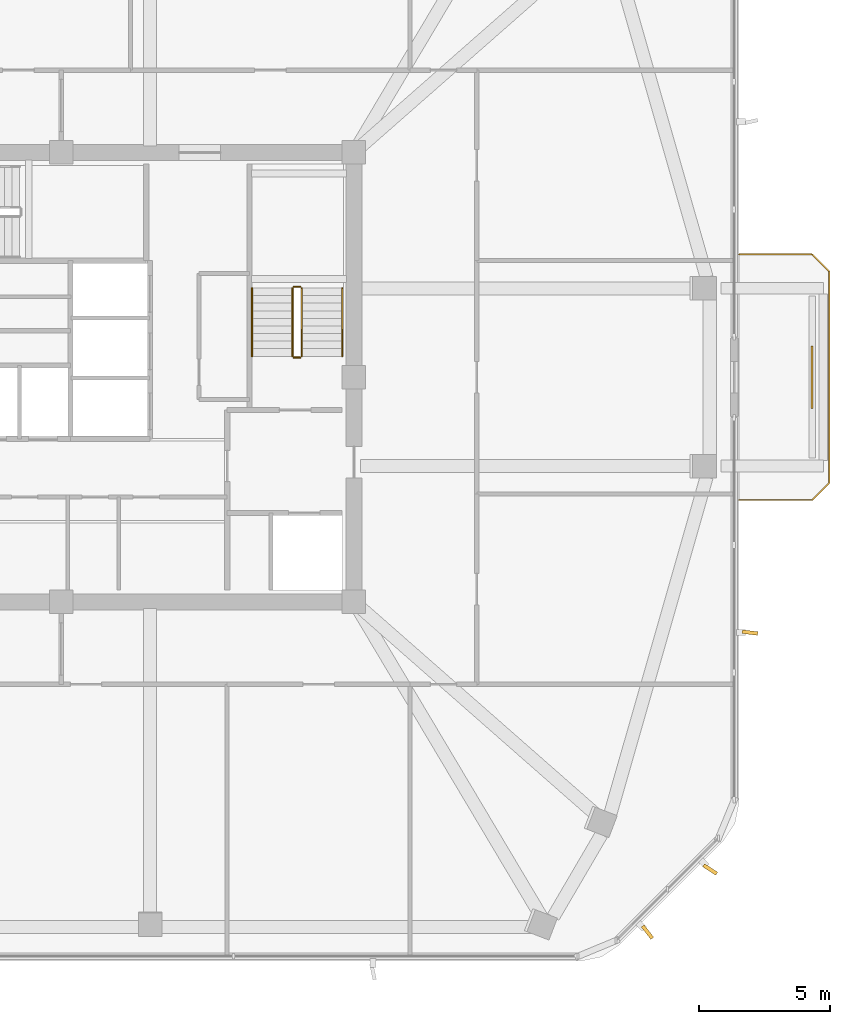
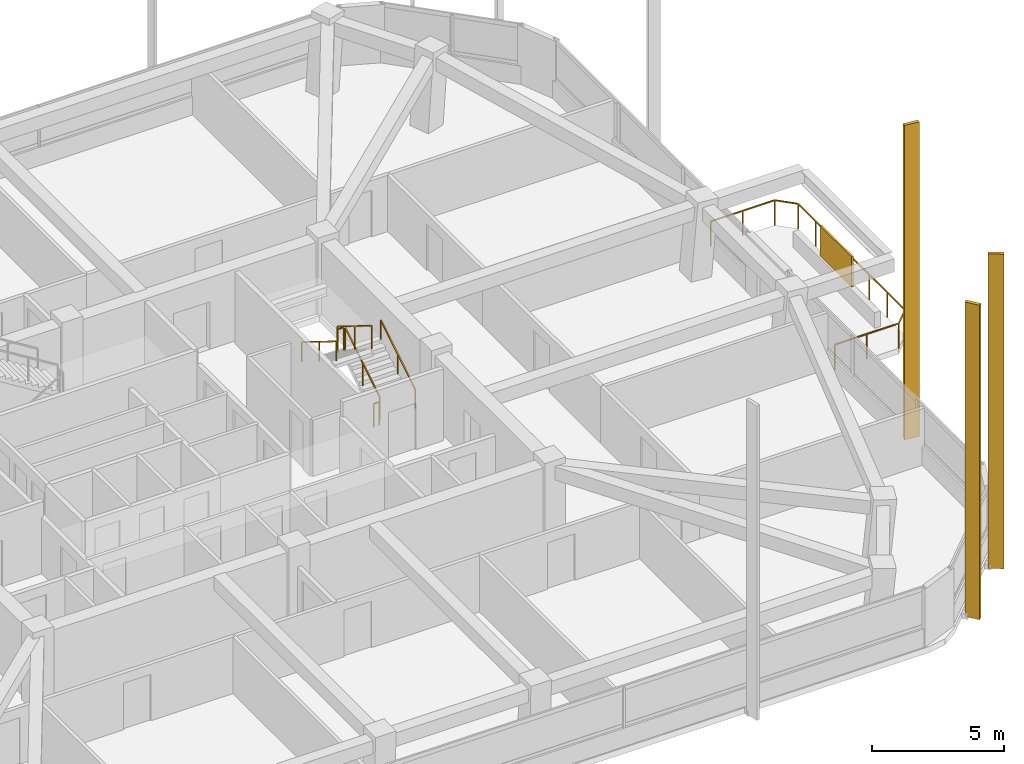
# One storey, part 16 of 17: 7 railings, 4 shading devices.
"""IFC4 building model written with IfcOpenShell, lengths in metres."""

from ifc_helpers import new_model, si_unit, derived_unit, direction, frame, origin, origin_2d, place, context, subcontext, project, spatial, rectangle, extrude, material, layer, layer_set, type_object, element, save


model = new_model("IFC4")

# Units and contexts
model_context = context("Model", 3, precision=1e-05, world=origin(), true_north=direction((0.0, 1.0)))
body_context = subcontext(model_context, "Body", "Model", "MODEL_VIEW")
ifc_project = project(units=[si_unit("LENGTHUNIT", "METRE"), si_unit("AREAUNIT", "SQUARE_METRE"), si_unit("VOLUMEUNIT", "CUBIC_METRE"), si_unit("PLANEANGLEUNIT", "RADIAN"), si_unit("MASSUNIT", "GRAM", prefix="KILO"), derived_unit("THERMALTRANSMITTANCEUNIT", [(si_unit("POWERUNIT", "WATT"), 1), (si_unit("LENGTHUNIT", "METRE"), -2), (si_unit("THERMODYNAMICTEMPERATUREUNIT", "KELVIN"), -1)])], contexts=[model_context])

# Site, building, storey
site_placement = place(None, origin())
site = spatial("IfcSite", under=ifc_project, at=site_placement, CompositionType="ELEMENT")
building_placement = place(site_placement, origin())
building = spatial("IfcBuilding", under=site, at=building_placement, Name="Koralith Skygarden Medical Center", CompositionType="ELEMENT")
storey_placement = place(building_placement, frame((0.0, 0.0, 207.179931640625)))
storey = spatial("IfcBuildingStorey", under=building, at=storey_placement, Name="L53", CompositionType="ELEMENT", Elevation=207.179931640625)

# Shading devices
ifc_material_1 = material(Name="Aluminium 6063-T6", Category="aluminium")
shading_device_type_1 = type_object("IfcShadingDeviceType", Name="Limestone-Clad Solar Storm Fin 600", PredefinedType="USERDEFINED", material=ifc_material_1)
for number, where, z_axis, x_axis, name in (
    (1, (59.430908203125, 4.6669921875, -0.2001953125), (0.0, 0.0, 1.0), (0.615069906565, -0.788472580397, 0.0), "L53 SE Harmonic Solar Storm Fin 1"),
    (2, (61.8291015625, 7.06494140625, -0.2001953125), (0.0, 0.0, 1.0), (0.839562978835, -0.543262371759, 0.0), "L53 SE Harmonic Solar Storm Fin 2"),
    (3, (63.35302734375, 16.1279296875, -0.2001953125), (0.0, 0.0, 1.0), (0.992454410214, -0.122614206542, 0.0), "L53 E Harmonic Solar Storm Fin 1"),
):
    element("IfcShadingDevice", number, at=place(storey_placement, frame(where, z_axis=z_axis, x_axis=x_axis)), inside=storey, type_object=shading_device_type_1, Name=name, ObjectType="SOLAR FIN", PredefinedType="USERDEFINED", context=body_context, shape_type="SweptSolid", body=[
        extrude(rectangle(XDim=0.60009765625, YDim=0.139892578125, at=origin_2d()), origin(), (0.0, 0.0, 1.0), 14.550048828125),
    ])

# Railing
ifc_material_2 = material(Name="Steel ASTM A500 Grade C", Category="steel")
railing_type_1 = type_object("IfcRailingType", Name="Outdoor Terrace & Balcony Safety Guardrail 1180", PredefinedType="GUARDRAIL", material=ifc_material_2)
railing_1_placement = place(storey_placement, frame((62.93310546875, 21.199951171875, 0.0)))
element("IfcRailing", 4, at=railing_1_placement, inside=storey, type_object=railing_type_1, Name="L53 E Balcony Perimeter Guardrail", PredefinedType="GUARDRAIL", context=body_context, shape_type="SweptSolid", body=[
    extrude(rectangle(XDim=0.050048828125, YDim=0.050048828125, at=origin_2d()), frame((0.001953125, 0.0, 1.15478515625), z_axis=(1.0, 0.0, 0.0), x_axis=(0.0, 1.0, 0.0)), (0.0, 0.0, 1.0), 2.7958984375),
    extrude(rectangle(XDim=0.050048828125, YDim=0.050048828125, at=origin_2d()), frame((2.80126953125, 0.00146484375, 1.15478515625), z_axis=(0.707106781187, 0.707106781187, 0.0), x_axis=(-0.707106781187, 0.707106781187, 0.0)), (0.0, 0.0, 1.0), 0.91552734375),
    extrude(rectangle(XDim=0.050048828125, YDim=0.050048828125, at=origin_2d()), frame((3.449951171875, 0.652099609375, 1.15478515625), z_axis=(0.0, 1.0, 0.0), x_axis=(-1.0, 0.0, 0.0)), (0.0, 0.0, 1.0), 8.095947265625),
    extrude(rectangle(XDim=0.050048828125, YDim=0.050048828125, at=origin_2d()), frame((3.448486328125, 8.75146484375, 1.15478515625), z_axis=(-0.707106781187, 0.707106781187, 0.0), x_axis=(-0.707106781187, -0.707106781187, 0.0)), (0.0, 0.0, 1.0), 0.91552734375),
    extrude(rectangle(XDim=0.050048828125, YDim=0.050048828125, at=origin_2d()), frame((2.7978515625, 9.400146484375, 1.15478515625), z_axis=(-1.0, 0.0, 0.0), x_axis=(0.0, -1.0, 0.0)), (0.0, 0.0, 1.0), 2.7958984375),
    extrude(rectangle(XDim=0.0419921875, YDim=0.0419921875, at=origin_2d()), origin(), (0.0, 0.0, 1.0), 1.1279296875),
    extrude(rectangle(XDim=0.0419921875, YDim=0.0419921875, at=origin_2d()), frame((1.39990234375, 0.0, 0.0)), (0.0, 0.0, 1.0), 1.1279296875),
    extrude(rectangle(XDim=0.0419921875, YDim=0.0419921875, at=origin_2d()), frame((2.7998046875, 0.0, 0.0)), (0.0, 0.0, 1.0), 1.1279296875),
    extrude(rectangle(XDim=0.0419921875, YDim=0.0419921875, at=origin_2d()), frame((3.449951171875, 0.650146484375, 0.0)), (0.0, 0.0, 1.0), 1.1279296875),
    extrude(rectangle(XDim=0.0419921875, YDim=0.0419921875, at=origin_2d()), frame((3.449951171875, 2.0, 0.0)), (0.0, 0.0, 1.0), 1.1279296875),
    extrude(rectangle(XDim=0.0419921875, YDim=0.0419921875, at=origin_2d()), frame((3.449951171875, 3.35009765625, 0.0)), (0.0, 0.0, 1.0), 1.1279296875),
    extrude(rectangle(XDim=0.0419921875, YDim=0.0419921875, at=origin_2d()), frame((3.449951171875, 4.7001953125, 0.0)), (0.0, 0.0, 1.0), 1.1279296875),
    extrude(rectangle(XDim=0.0419921875, YDim=0.0419921875, at=origin_2d()), frame((3.449951171875, 6.050048828125, 0.0)), (0.0, 0.0, 1.0), 1.1279296875),
    extrude(rectangle(XDim=0.0419921875, YDim=0.0419921875, at=origin_2d()), frame((3.449951171875, 7.39990234375, 0.0)), (0.0, 0.0, 1.0), 1.1279296875),
    extrude(rectangle(XDim=0.0419921875, YDim=0.0419921875, at=origin_2d()), frame((3.449951171875, 8.75, 0.0)), (0.0, 0.0, 1.0), 1.1279296875),
    extrude(rectangle(XDim=0.0419921875, YDim=0.0419921875, at=origin_2d()), frame((2.7998046875, 9.400146484375, 0.0)), (0.0, 0.0, 1.0), 1.1279296875),
    extrude(rectangle(XDim=0.0419921875, YDim=0.0419921875, at=origin_2d()), frame((1.39990234375, 9.400146484375, 0.0)), (0.0, 0.0, 1.0), 1.1279296875),
    extrude(rectangle(XDim=0.0419921875, YDim=0.0419921875, at=origin_2d()), frame((0.0, 9.400146484375, 0.0)), (0.0, 0.0, 1.0), 1.1279296875),
])

# Shading device
ifc_layer = layer(ifc_material_1, 0.080078125)
ifc_layer_set = layer_set([ifc_layer], Name="Aluminium 6063-T6")
shading_device_type_2 = type_object("IfcShadingDeviceType", Name="Perforated Biophilic Balcony Trellis Screen", PredefinedType="USERDEFINED", material=ifc_layer_set)
shading_device_placement = place(storey_placement, frame((65.73291015625, 25.89990234375, 0.72021484375), z_axis=(0.0, 0.0, 1.0), x_axis=(0.0, 1.0, 0.0)))
element("IfcShadingDevice", 5, at=shading_device_placement, inside=storey, type_object=shading_device_type_2, Name="L53 E Biophilic Balcony Trellis Screen", ObjectType="HURRICANE SCREEN", PredefinedType="USERDEFINED", context=body_context, shape_type="SweptSolid", body=[
    extrude(rectangle(XDim=2.39990234375, YDim=0.080078125, at=origin_2d()), origin(), (0.0, 0.0, 1.0), 1.39990234375),
])

# Railings
railing_type_2 = type_object("IfcRailingType", Name="Stair Flight Tubular Handrail 920", PredefinedType="HANDRAIL", material=ifc_material_2)
railing_2_placement = place(storey_placement, frame((47.75, 26.699951171875, 0.18017578125)))
element("IfcRailing", 6, at=railing_2_placement, inside=storey, type_object=railing_type_2, Name="L53 ST2 stair handrail 1", PredefinedType="HANDRAIL", context=body_context, shape_type="SweptSolid", body=[
    extrude(rectangle(XDim=0.050048828125, YDim=0.050048828125, at=origin_2d()), frame((0.0, 0.001708984375, 0.89599609375), z_axis=(0.0, 0.849668407637, 0.527317358963), x_axis=(-1.0, 0.0, 0.0)), (0.0, 0.0, 1.0), 3.06787109375),
    extrude(rectangle(XDim=0.0419921875, YDim=0.0419921875, at=origin_2d()), origin(), (0.0, 0.0, 1.0), 0.867919921875),
    extrude(rectangle(XDim=0.0419921875, YDim=0.0419921875, at=origin_2d()), frame((0.0, 1.30517578125, 0.81005859375)), (0.0, 0.0, 1.0), 0.867919921875),
    extrude(rectangle(XDim=0.0419921875, YDim=0.0419921875, at=origin_2d()), frame((0.0, 2.610107421875, 1.619873046875)), (0.0, 0.0, 1.0), 0.867919921875),
])
railing_3_placement = place(storey_placement, frame((44.300048828125, 29.31005859375, 1.97998046875)))
element("IfcRailing", 7, at=railing_3_placement, inside=storey, type_object=railing_type_2, Name="L53 ST2 stair handrail 2", PredefinedType="HANDRAIL", context=body_context, shape_type="SweptSolid", body=[
    extrude(rectangle(XDim=0.050048828125, YDim=0.050048828125, at=origin_2d()), frame((0.0, -0.001708984375, 0.89599609375), z_axis=(0.0, -0.849632798774, 0.527374731332), x_axis=(1.0, 0.0, 0.0)), (0.0, 0.0, 1.0), 3.068115234375),
    extrude(rectangle(XDim=0.0419921875, YDim=0.0419921875, at=origin_2d()), origin(), (0.0, 0.0, 1.0), 0.867919921875),
    extrude(rectangle(XDim=0.0419921875, YDim=0.0419921875, at=origin_2d()), frame((0.0, -1.30517578125, 0.81005859375)), (0.0, 0.0, 1.0), 0.867919921875),
    extrude(rectangle(XDim=0.0419921875, YDim=0.0419921875, at=origin_2d()), frame((0.0, -2.610107421875, 1.6201171875)), (0.0, 0.0, 1.0), 0.867919921875),
])
railing_type_3 = type_object("IfcRailingType", Name="Stair Well Safety Guardrail 1100", PredefinedType="GUARDRAIL", material=ifc_material_2)
railing_4_placement = place(storey_placement, frame((46.199951171875, 26.699951171875, 0.18017578125)))
element("IfcRailing", 8, at=railing_4_placement, inside=storey, type_object=railing_type_3, Name="L53 ST2 stair guard 1", PredefinedType="GUARDRAIL", context=body_context, shape_type="SweptSolid", body=[
    extrude(rectangle(XDim=0.050048828125, YDim=0.050048828125, at=origin_2d()), frame((0.0, 0.001708984375, 1.076171875), z_axis=(0.0, 0.849668407637, 0.527317358963), x_axis=(-1.0, 0.0, 0.0)), (0.0, 0.0, 1.0), 3.06787109375),
    extrude(rectangle(XDim=0.0419921875, YDim=0.0419921875, at=origin_2d()), origin(), (0.0, 0.0, 1.0), 1.048095703125),
    extrude(rectangle(XDim=0.0419921875, YDim=0.0419921875, at=origin_2d()), frame((0.0, 1.30517578125, 0.81005859375)), (0.0, 0.0, 1.0), 1.048095703125),
    extrude(rectangle(XDim=0.0419921875, YDim=0.0419921875, at=origin_2d()), frame((0.0, 2.610107421875, 1.619873046875)), (0.0, 0.0, 1.0), 1.048095703125),
])
railing_5_placement = place(storey_placement, frame((46.14990234375, 29.360107421875, 1.800048828125)))
element("IfcRailing", 9, at=railing_5_placement, inside=storey, type_object=railing_type_3, Name="L53 ST2 stair guard 2", PredefinedType="GUARDRAIL", context=body_context, shape_type="SweptSolid", body=[
    extrude(rectangle(XDim=0.050048828125, YDim=0.050048828125, at=origin_2d()), frame((-0.001953125, 0.0, 1.0751953125), z_axis=(-1.0, 0.0, 0.0), x_axis=(0.0, -1.0, 0.0)), (0.0, 0.0, 1.0), 0.24609375),
    extrude(rectangle(XDim=0.0419921875, YDim=0.0419921875, at=origin_2d()), origin(), (0.0, 0.0, 1.0), 1.048095703125),
    extrude(rectangle(XDim=0.0419921875, YDim=0.0419921875, at=origin_2d()), frame((-0.25, 0.0, 0.0)), (0.0, 0.0, 1.0), 1.048095703125),
])
railing_6_placement = place(storey_placement, frame((45.85009765625, 29.31005859375, 1.97998046875)))
element("IfcRailing", 10, at=railing_6_placement, inside=storey, type_object=railing_type_3, Name="L53 ST2 stair guard 3", PredefinedType="GUARDRAIL", context=body_context, shape_type="SweptSolid", body=[
    extrude(rectangle(XDim=0.050048828125, YDim=0.050048828125, at=origin_2d()), frame((0.0, -0.001708984375, 1.076171875), z_axis=(0.0, -0.849632798774, 0.527374731332), x_axis=(1.0, 0.0, 0.0)), (0.0, 0.0, 1.0), 3.068115234375),
    extrude(rectangle(XDim=0.0419921875, YDim=0.0419921875, at=origin_2d()), origin(), (0.0, 0.0, 1.0), 1.048095703125),
    extrude(rectangle(XDim=0.0419921875, YDim=0.0419921875, at=origin_2d()), frame((0.0, -1.30517578125, 0.81005859375)), (0.0, 0.0, 1.0), 1.048095703125),
    extrude(rectangle(XDim=0.0419921875, YDim=0.0419921875, at=origin_2d()), frame((0.0, -2.610107421875, 1.6201171875)), (0.0, 0.0, 1.0), 1.048095703125),
])
railing_7_placement = place(storey_placement, frame((46.14990234375, 26.64990234375, 0.0)))
element("IfcRailing", 11, at=railing_7_placement, inside=storey, type_object=railing_type_3, Name="L53 ST2 stair guard 4", PredefinedType="GUARDRAIL", context=body_context, shape_type="SweptSolid", body=[
    extrude(rectangle(XDim=0.050048828125, YDim=0.050048828125, at=origin_2d()), frame((-0.001953125, 0.0, 1.0751953125), z_axis=(-1.0, 0.0, 0.0), x_axis=(0.0, -1.0, 0.0)), (0.0, 0.0, 1.0), 0.24609375),
    extrude(rectangle(XDim=0.0419921875, YDim=0.0419921875, at=origin_2d()), origin(), (0.0, 0.0, 1.0), 1.048095703125),
    extrude(rectangle(XDim=0.0419921875, YDim=0.0419921875, at=origin_2d()), frame((-0.25, 0.0, 0.0)), (0.0, 0.0, 1.0), 1.048095703125),
])

save(model, "model.ifc")
